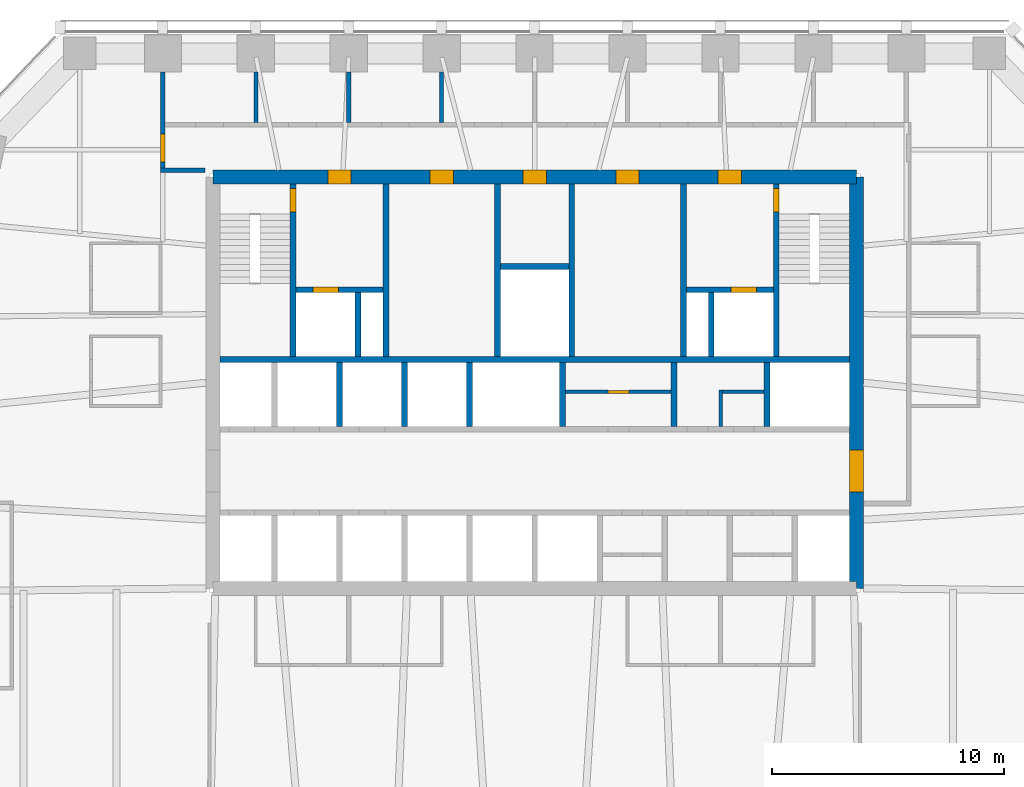
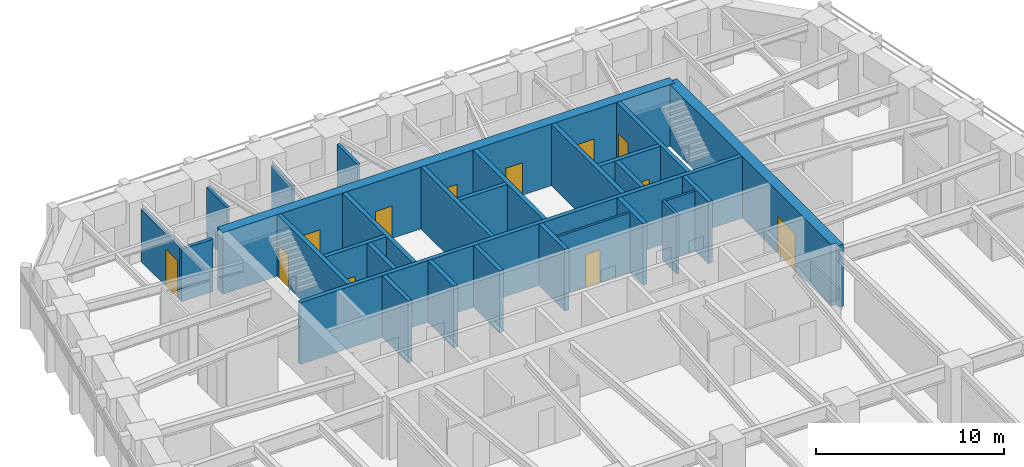
# One storey, part 7 of 10: 28 walls, 12 doors, 12 openings.
"""IFC4 building model written with IfcOpenShell, lengths in metres."""

from ifc_helpers import new_model, si_unit, direction, frame, frame_2d, origin, place, context, subcontext, project, spatial, polyline, rectangle, outline, extrude, material, layer, layer_set, type_object, element, fill, save


model = new_model("IFC4")

# Units and contexts
model_context = context("Model", 3, precision=1e-05, world=origin(), true_north=direction((0.0, 1.0)))
body_context = subcontext(model_context, "Body", "Model", "MODEL_VIEW")
ifc_project = project(units=[si_unit("LENGTHUNIT", "METRE"), si_unit("AREAUNIT", "SQUARE_METRE"), si_unit("VOLUMEUNIT", "CUBIC_METRE"), si_unit("PLANEANGLEUNIT", "RADIAN"), si_unit("MASSUNIT", "GRAM", prefix="KILO")], contexts=[model_context])

# Site, building, storey
site_placement = place(None, origin())
site = spatial("IfcSite", under=ifc_project, at=site_placement, CompositionType="ELEMENT")
building_placement = place(site_placement, origin())
building = spatial("IfcBuilding", under=site, at=building_placement, Name="Isbrekke Arena Tower", CompositionType="ELEMENT")
storey_placement = place(building_placement, frame((0.0, 0.0, 222.0)))
storey = spatial("IfcBuildingStorey", under=building, at=storey_placement, Name="L51", CompositionType="ELEMENT", Elevation=222.0)

# Wall, opening, door
ifc_material_1 = material(Name="Concrete B55 (C55/67)", Category="concrete")
ifc_layer_1 = layer(ifc_material_1, 0.60009765625)
ifc_layer_set_1 = layer_set([ifc_layer_1], Name="CW4 CORE WALL 600")
wall_type_1 = type_object("IfcWallType", Name="CW4 CORE WALL 600", PredefinedType="SHEAR", material=ifc_layer_set_1)
wall_1_placement = place(storey_placement, frame((13.85009765625, 6.14990234375, 0.0), z_axis=(0.0, 0.0, 1.0), x_axis=(0.0, 1.0, 0.0)))
wall_1 = element("IfcWall", 1, at=wall_1_placement, inside=storey, type_object=wall_type_1, Name="Core wall E L51", PredefinedType="SHEAR", context=body_context, shape_type="SweptSolid", body=[
    extrude(outline(polyline([(0.0, -0.300048828125), (17.7001953125, -0.300048828125), (17.7001953125, 0.0), (17.400146484375, 0.0), (17.400146484375, 0.300048828125), (0.300048828125, 0.300048828125), (0.300048828125, 0.0), (0.0, 0.0), (0.0, -0.300048828125)])), origin(), (0.0, 0.0, 1.0), 4.0),
])
opening_1_placement = place(wall_1_placement, frame((4.14990234375, 0.0, 0.0)))
opening_1 = element("IfcOpeningElement", 2, at=opening_1_placement, cuts=wall_1, Name="Opening D1", PredefinedType="OPENING", context=body_context, shape_type="SweptSolid", body=[
    extrude(rectangle(XDim=1.800048828125, YDim=2.39990234375, at=frame_2d((0.89990234375, 1.199951171875))), frame((0.0, 0.31494140625, 0.0), z_axis=(0.0, -1.0, 0.0), x_axis=(1.0, 0.0, 0.0)), (0.0, 0.0, 1.0), 0.6298828125),
])
ifc_material_2 = material(Name="Steel-framed glazed fire door", Category="steel")
door_type_1 = type_object("IfcDoorType", Name="D1 CORE LOBBY DOOR 1800 x 2400", OperationType="DOUBLE_DOOR_SINGLE_SWING", PredefinedType="DOOR", material=ifc_material_2)
door_1_placement = place(opening_1_placement, origin())
door_1 = element("IfcDoor", 3, at=door_1_placement, inside=storey, type_object=door_type_1, Name="D1 lift lobby door east L51", OperationType="DOUBLE_DOOR_SINGLE_SWING", OverallHeight=2.39990234375, OverallWidth=1.800048828125, PredefinedType="DOOR", context=body_context, shape_type="SweptSolid", body=[
    extrude(rectangle(XDim=1.800048828125, YDim=2.39990234375, at=frame_2d((0.89990234375, 1.199951171875))), frame((0.0, 0.2998046875, 0.0), z_axis=(0.0, -1.0, 0.0), x_axis=(1.0, 0.0, 0.0)), (0.0, 0.0, 1.0), 0.599609375),
])
fill(opening_1, door_1)

# Wall, openings, doors
wall_2_placement = place(storey_placement, frame((13.85009765625, 23.85009765625, 0.0), z_axis=(0.0, 0.0, 1.0), x_axis=(-1.0, 0.0, 0.0)))
wall_2 = element("IfcWall", 4, at=wall_2_placement, inside=storey, type_object=wall_type_1, Name="Core wall N L51", PredefinedType="SHEAR", context=body_context, shape_type="SweptSolid", body=[
    extrude(rectangle(XDim=27.7001953125, YDim=0.60009765625, at=frame_2d((13.85009765625, 0.0))), origin(), (0.0, 0.0, 1.0), 4.0),
])
opening_2_placement = place(wall_2_placement, frame((21.75, 0.0, 0.0)))
opening_2 = element("IfcOpeningElement", 5, at=opening_2_placement, cuts=wall_2, Name="Opening D3", PredefinedType="OPENING", context=body_context, shape_type="SweptSolid", body=[
    extrude(rectangle(XDim=1.0, YDim=2.10009765625, at=frame_2d((0.5, 1.050048828125))), frame((0.0, 0.31494140625, 0.0), z_axis=(0.0, -1.0, 0.0), x_axis=(1.0, 0.0, 0.0)), (0.0, 0.0, 1.0), 0.6298828125),
])
opening_3_placement = place(wall_2_placement, frame((4.949951171875, 0.0, 0.0)))
opening_3 = element("IfcOpeningElement", 6, at=opening_3_placement, cuts=wall_2, Name="Opening D3", PredefinedType="OPENING", context=body_context, shape_type="SweptSolid", body=[
    extrude(rectangle(XDim=1.0, YDim=2.10009765625, at=frame_2d((0.5, 1.050048828125))), frame((0.0, 0.31494140625, 0.0), z_axis=(0.0, -1.0, 0.0), x_axis=(1.0, 0.0, 0.0)), (0.0, 0.0, 1.0), 0.6298828125),
])
opening_4_placement = place(wall_2_placement, frame((17.35009765625, 0.0, 0.0)))
opening_4 = element("IfcOpeningElement", 7, at=opening_4_placement, cuts=wall_2, Name="Opening D4", PredefinedType="OPENING", context=body_context, shape_type="SweptSolid", body=[
    extrude(rectangle(XDim=1.0, YDim=2.10009765625, at=frame_2d((0.5, 1.050048828125))), frame((0.0, 0.31494140625, 0.0), z_axis=(0.0, -1.0, 0.0), x_axis=(1.0, 0.0, 0.0)), (0.0, 0.0, 1.0), 0.6298828125),
])
opening_5_placement = place(wall_2_placement, frame((13.35009765625, 0.0, 0.0)))
opening_5 = element("IfcOpeningElement", 8, at=opening_5_placement, cuts=wall_2, Name="Opening D4", PredefinedType="OPENING", context=body_context, shape_type="SweptSolid", body=[
    extrude(rectangle(XDim=1.0, YDim=2.10009765625, at=frame_2d((0.5, 1.050048828125))), frame((0.0, 0.31494140625, 0.0), z_axis=(0.0, -1.0, 0.0), x_axis=(1.0, 0.0, 0.0)), (0.0, 0.0, 1.0), 0.6298828125),
])
opening_6_placement = place(wall_2_placement, frame((9.35009765625, 0.0, 0.0)))
opening_6 = element("IfcOpeningElement", 9, at=opening_6_placement, cuts=wall_2, Name="Opening D4", PredefinedType="OPENING", context=body_context, shape_type="SweptSolid", body=[
    extrude(rectangle(XDim=1.0, YDim=2.10009765625, at=frame_2d((0.5, 1.050048828125))), frame((0.0, 0.31494140625, 0.0), z_axis=(0.0, -1.0, 0.0), x_axis=(1.0, 0.0, 0.0)), (0.0, 0.0, 1.0), 0.6298828125),
])
ifc_material_3 = material(Name="Steel fire door", Category="steel")
door_type_2 = type_object("IfcDoorType", Name="D3 FIRE LOBBY DOOR 1000 x 2100", OperationType="SINGLE_SWING_RIGHT", PredefinedType="DOOR", material=ifc_material_3)
door_2_placement = place(opening_2_placement, origin())
door_2 = element("IfcDoor", 10, at=door_2_placement, inside=storey, type_object=door_type_2, Name="D3 fire-fighting lobby door L51", OperationType="SINGLE_SWING_RIGHT", OverallHeight=2.10009765625, OverallWidth=1.0, PredefinedType="DOOR", context=body_context, shape_type="SweptSolid", body=[
    extrude(rectangle(XDim=1.0, YDim=2.10009765625, at=frame_2d((0.5, 1.050048828125))), frame((0.0, 0.2998046875, 0.0), z_axis=(0.0, -1.0, 0.0), x_axis=(1.0, 0.0, 0.0)), (0.0, 0.0, 1.0), 0.599609375),
])
fill(opening_2, door_2)
door_3_placement = place(opening_3_placement, origin())
door_3 = element("IfcDoor", 11, at=door_3_placement, inside=storey, type_object=door_type_2, Name="D3 fire-fighting lobby door L51", OperationType="SINGLE_SWING_RIGHT", OverallHeight=2.10009765625, OverallWidth=1.0, PredefinedType="DOOR", context=body_context, shape_type="SweptSolid", body=[
    extrude(rectangle(XDim=1.0, YDim=2.10009765625, at=frame_2d((0.5, 1.050048828125))), frame((0.0, 0.2998046875, 0.0), z_axis=(0.0, -1.0, 0.0), x_axis=(1.0, 0.0, 0.0)), (0.0, 0.0, 1.0), 0.599609375),
])
fill(opening_3, door_3)
ifc_material_4 = material(Name="Timber door", Category="wood")
door_type_3 = type_object("IfcDoorType", Name="D4 WC DOOR 1000 x 2100", OperationType="SINGLE_SWING_LEFT", PredefinedType="DOOR", material=ifc_material_4)
door_4_placement = place(opening_4_placement, origin())
door_4 = element("IfcDoor", 12, at=door_4_placement, inside=storey, type_object=door_type_3, Name="D4 wc female door L51", OperationType="SINGLE_SWING_LEFT", OverallHeight=2.10009765625, OverallWidth=1.0, PredefinedType="DOOR", context=body_context, shape_type="SweptSolid", body=[
    extrude(rectangle(XDim=1.0, YDim=2.10009765625, at=frame_2d((0.5, 1.050048828125))), frame((0.0, 0.2998046875, 0.0), z_axis=(0.0, -1.0, 0.0), x_axis=(1.0, 0.0, 0.0)), (0.0, 0.0, 1.0), 0.599609375),
])
fill(opening_4, door_4)
door_5_placement = place(opening_5_placement, origin())
door_5 = element("IfcDoor", 13, at=door_5_placement, inside=storey, type_object=door_type_3, Name="D4 accessible wc door L51", OperationType="SINGLE_SWING_LEFT", OverallHeight=2.10009765625, OverallWidth=1.0, PredefinedType="DOOR", context=body_context, shape_type="SweptSolid", body=[
    extrude(rectangle(XDim=1.0, YDim=2.10009765625, at=frame_2d((0.5, 1.050048828125))), frame((0.0, 0.2998046875, 0.0), z_axis=(0.0, -1.0, 0.0), x_axis=(1.0, 0.0, 0.0)), (0.0, 0.0, 1.0), 0.599609375),
])
fill(opening_5, door_5)
door_6_placement = place(opening_6_placement, origin())
door_6 = element("IfcDoor", 14, at=door_6_placement, inside=storey, type_object=door_type_3, Name="D4 wc male door L51", OperationType="SINGLE_SWING_LEFT", OverallHeight=2.10009765625, OverallWidth=1.0, PredefinedType="DOOR", context=body_context, shape_type="SweptSolid", body=[
    extrude(rectangle(XDim=1.0, YDim=2.10009765625, at=frame_2d((0.5, 1.050048828125))), frame((0.0, 0.2998046875, 0.0), z_axis=(0.0, -1.0, 0.0), x_axis=(1.0, 0.0, 0.0)), (0.0, 0.0, 1.0), 0.599609375),
])
fill(opening_6, door_6)

# Walls
ifc_material_5 = material(Name="Concrete B45 (C45/55)", Category="concrete")
ifc_layer_2 = layer(ifc_material_5, 0.25)
ifc_layer_set_2 = layer_set([ifc_layer_2], Name="CW6 SHAFT WALL 250")
wall_type_2 = type_object("IfcWallType", Name="CW6 SHAFT WALL 250", PredefinedType="SHEAR", material=ifc_layer_set_2)
wall_3_placement = place(storey_placement, frame((-13.550048828125, 16.0, 0.0), z_axis=(0.0, 0.0, 1.0), x_axis=(1.0, 0.0, 0.0)))
element("IfcWall", 15, at=wall_3_placement, inside=storey, type_object=wall_type_2, Name="Core wall NB L51", PredefinedType="SHEAR", context=body_context, shape_type="SweptSolid", body=[
    extrude(rectangle(XDim=27.10009765625, YDim=0.25, at=frame_2d((13.550048828125, 0.0))), origin(), (0.0, 0.0, 1.0), 4.0),
])
for number, where, z_axis, x_axis, name in (
    (16, (-8.39990234375, 13.125, 0.0), (0.0, 0.0, 1.0), (0.0, 1.0, 0.0), "Core wall SN02 L51"),
    (17, (-5.60009765625, 13.125, 0.0), (0.0, 0.0, 1.0), (0.0, 1.0, 0.0), "Core wall SN03 L51"),
    (18, (-2.800048828125, 13.125, 0.0), (0.0, 0.0, 1.0), (0.0, 1.0, 0.0), "Core wall SN04 L51"),
    (19, (1.199951171875, 13.125, 0.0), (0.0, 0.0, 1.0), (0.0, 1.0, 0.0), "Core wall SN05 L51"),
    (20, (6.0, 13.125, 0.0), (0.0, 0.0, 1.0), (0.0, 1.0, 0.0), "Core wall SN06 L51"),
    (21, (10.0, 13.125, 0.0), (0.0, 0.0, 1.0), (0.0, 1.0, 0.0), "Core wall SN07 L51"),
):
    element("IfcWall", number, at=place(storey_placement, frame(where, z_axis=z_axis, x_axis=x_axis)), inside=storey, type_object=wall_type_2, Name=name, PredefinedType="SHEAR", context=body_context, shape_type="SweptSolid", body=[
        extrude(rectangle(XDim=2.75, YDim=0.25, at=frame_2d((1.375, 0.0))), origin(), (0.0, 0.0, 1.0), 4.0),
    ])

# Wall, opening, door
wall_4_placement = place(storey_placement, frame((-10.39990234375, 16.125, 0.0), z_axis=(0.0, 0.0, 1.0), x_axis=(0.0, 1.0, 0.0)))
wall_4 = element("IfcWall", 22, at=wall_4_placement, inside=storey, type_object=wall_type_2, Name="Core wall NV01 L51", PredefinedType="SHEAR", context=body_context, shape_type="SweptSolid", body=[
    extrude(rectangle(XDim=7.425048828125, YDim=0.25, at=frame_2d((3.71240234375, 0.0))), origin(), (0.0, 0.0, 1.0), 4.0),
])
opening_7_placement = place(wall_4_placement, frame((6.22509765625, 0.0, 0.0)))
opening_7 = element("IfcOpeningElement", 23, at=opening_7_placement, cuts=wall_4, Name="Opening D2", PredefinedType="OPENING", context=body_context, shape_type="SweptSolid", body=[
    extrude(rectangle(XDim=1.0, YDim=2.10009765625, at=frame_2d((0.5, 1.050048828125))), frame((0.0, 0.139892578125, 0.0), z_axis=(0.0, -1.0, 0.0), x_axis=(1.0, 0.0, 0.0)), (0.0, 0.0, 1.0), 0.27978515625),
])
ifc_material_6 = material(Name="Steel fire door", Category="steel")
door_type_4 = type_object("IfcDoorType", Name="D2 STAIR DOOR 1000 x 2100", OperationType="SINGLE_SWING_LEFT", PredefinedType="DOOR", material=ifc_material_6)
door_7_placement = place(opening_7_placement, origin())
door_7 = element("IfcDoor", 24, at=door_7_placement, inside=storey, type_object=door_type_4, Name="D2 stair door ST1 L51", OperationType="SINGLE_SWING_LEFT", OverallHeight=2.10009765625, OverallWidth=1.0, PredefinedType="DOOR", context=body_context, shape_type="SweptSolid", body=[
    extrude(rectangle(XDim=1.0, YDim=2.10009765625, at=frame_2d((0.5, 1.050048828125))), frame((0.0, 0.124755859375, 0.0), z_axis=(0.0, -1.0, 0.0), x_axis=(1.0, 0.0, 0.0)), (0.0, 0.0, 1.0), 0.24951171875),
])
fill(opening_7, door_7)

# Walls
for number, where, z_axis, x_axis, name in (
    (25, (-6.39990234375, 16.125, 0.0), (0.0, 0.0, 1.0), (0.0, 1.0, 0.0), "Core wall NV02 L51"),
    (26, (-1.60009765625, 16.125, 0.0), (0.0, 0.0, 1.0), (0.0, 1.0, 0.0), "Core wall NV03 L51"),
    (27, (1.60009765625, 16.125, 0.0), (0.0, 0.0, 1.0), (0.0, 1.0, 0.0), "Core wall NV04 L51"),
    (28, (6.39990234375, 16.125, 0.0), (0.0, 0.0, 1.0), (0.0, 1.0, 0.0), "Core wall NV05 L51"),
):
    element("IfcWall", number, at=place(storey_placement, frame(where, z_axis=z_axis, x_axis=x_axis)), inside=storey, type_object=wall_type_2, Name=name, PredefinedType="SHEAR", context=body_context, shape_type="SweptSolid", body=[
        extrude(rectangle(XDim=7.425048828125, YDim=0.25, at=frame_2d((3.71240234375, 0.0))), origin(), (0.0, 0.0, 1.0), 4.0),
    ])

# Wall, opening, door
wall_5_placement = place(storey_placement, frame((10.39990234375, 16.125, 0.0), z_axis=(0.0, 0.0, 1.0), x_axis=(0.0, 1.0, 0.0)))
wall_5 = element("IfcWall", 29, at=wall_5_placement, inside=storey, type_object=wall_type_2, Name="Core wall NV06 L51", PredefinedType="SHEAR", context=body_context, shape_type="SweptSolid", body=[
    extrude(rectangle(XDim=7.425048828125, YDim=0.25, at=frame_2d((3.71240234375, 0.0))), origin(), (0.0, 0.0, 1.0), 4.0),
])
opening_8_placement = place(wall_5_placement, frame((6.22509765625, 0.0, 0.0)))
opening_8 = element("IfcOpeningElement", 30, at=opening_8_placement, cuts=wall_5, Name="Opening D2", PredefinedType="OPENING", context=body_context, shape_type="SweptSolid", body=[
    extrude(rectangle(XDim=1.0, YDim=2.10009765625, at=frame_2d((0.5, 1.050048828125))), frame((0.0, 0.139892578125, 0.0), z_axis=(0.0, -1.0, 0.0), x_axis=(1.0, 0.0, 0.0)), (0.0, 0.0, 1.0), 0.27978515625),
])
door_8_placement = place(opening_8_placement, origin())
door_8 = element("IfcDoor", 31, at=door_8_placement, inside=storey, type_object=door_type_4, Name="D2 stair door ST2 L51", OperationType="SINGLE_SWING_LEFT", OverallHeight=2.10009765625, OverallWidth=1.0, PredefinedType="DOOR", context=body_context, shape_type="SweptSolid", body=[
    extrude(rectangle(XDim=1.0, YDim=2.10009765625, at=frame_2d((0.5, 1.050048828125))), frame((0.0, 0.124755859375, 0.0), z_axis=(0.0, -1.0, 0.0), x_axis=(1.0, 0.0, 0.0)), (0.0, 0.0, 1.0), 0.24951171875),
])
fill(opening_8, door_8)

wall_6_placement = place(storey_placement, frame((-10.27490234375, 19.0, 0.0), z_axis=(0.0, 0.0, 1.0), x_axis=(1.0, 0.0, 0.0)))
wall_6 = element("IfcWall", 32, at=wall_6_placement, inside=storey, type_object=wall_type_2, Name="Core wall NFW L51", PredefinedType="SHEAR", context=body_context, shape_type="SweptSolid", body=[
    extrude(rectangle(XDim=3.75, YDim=0.25, at=frame_2d((1.875, 0.0))), origin(), (0.0, 0.0, 1.0), 4.0),
])
opening_9_placement = place(wall_6_placement, frame((0.72509765625, 0.0, 0.0)))
opening_9 = element("IfcOpeningElement", 33, at=opening_9_placement, cuts=wall_6, Name="Opening LD2", PredefinedType="OPENING", context=body_context, shape_type="SweptSolid", body=[
    extrude(rectangle(XDim=1.10009765625, YDim=2.10009765625, at=frame_2d((0.550048828125, 1.050048828125))), frame((0.0, 0.139892578125, 0.0), z_axis=(0.0, -1.0, 0.0), x_axis=(1.0, 0.0, 0.0)), (0.0, 0.0, 1.0), 0.27978515625),
])
ifc_material_7 = material(Name="Stainless steel lift landing door", Category="steel")
door_type_5 = type_object("IfcDoorType", Name="LD2 FIRE-FIGHTING LIFT LANDING DOOR 1100 x 2100", OperationType="SLIDING_TO_RIGHT", PredefinedType="DOOR", material=ifc_material_7)
door_9_placement = place(opening_9_placement, origin())
door_9 = element("IfcDoor", 34, at=door_9_placement, inside=storey, type_object=door_type_5, Name="LD2 lift landing door LF L51", OperationType="SLIDING_TO_RIGHT", OverallHeight=2.10009765625, OverallWidth=1.10009765625, PredefinedType="DOOR", context=body_context, shape_type="SweptSolid", body=[
    extrude(rectangle(XDim=1.10009765625, YDim=2.10009765625, at=frame_2d((0.550048828125, 1.050048828125))), frame((0.0, 0.124755859375, 0.0), z_axis=(0.0, -1.0, 0.0), x_axis=(1.0, 0.0, 0.0)), (0.0, 0.0, 1.0), 0.24951171875),
])
fill(opening_9, door_9)

wall_7_placement = place(storey_placement, frame((6.52490234375, 19.0, 0.0), z_axis=(0.0, 0.0, 1.0), x_axis=(1.0, 0.0, 0.0)))
wall_7 = element("IfcWall", 35, at=wall_7_placement, inside=storey, type_object=wall_type_2, Name="Core wall NFE L51", PredefinedType="SHEAR", context=body_context, shape_type="SweptSolid", body=[
    extrude(rectangle(XDim=3.75, YDim=0.25, at=frame_2d((1.875, 0.0))), origin(), (0.0, 0.0, 1.0), 4.0),
])
opening_10_placement = place(wall_7_placement, frame((1.925048828125, 0.0, 0.0)))
opening_10 = element("IfcOpeningElement", 36, at=opening_10_placement, cuts=wall_7, Name="Opening LD2", PredefinedType="OPENING", context=body_context, shape_type="SweptSolid", body=[
    extrude(rectangle(XDim=1.10009765625, YDim=2.10009765625, at=frame_2d((0.550048828125, 1.050048828125))), frame((0.0, 0.139892578125, 0.0), z_axis=(0.0, -1.0, 0.0), x_axis=(1.0, 0.0, 0.0)), (0.0, 0.0, 1.0), 0.27978515625),
])
door_10_placement = place(opening_10_placement, origin())
door_10 = element("IfcDoor", 37, at=door_10_placement, inside=storey, type_object=door_type_5, Name="LD2 lift landing door LF L51", OperationType="SLIDING_TO_RIGHT", OverallHeight=2.10009765625, OverallWidth=1.10009765625, PredefinedType="DOOR", context=body_context, shape_type="SweptSolid", body=[
    extrude(rectangle(XDim=1.10009765625, YDim=2.10009765625, at=frame_2d((0.550048828125, 1.050048828125))), frame((0.0, 0.124755859375, 0.0), z_axis=(0.0, -1.0, 0.0), x_axis=(1.0, 0.0, 0.0)), (0.0, 0.0, 1.0), 0.24951171875),
])
fill(opening_10, door_10)

# Walls
for number, where, z_axis, x_axis, name in (
    (38, (-7.60009765625, 16.125, 0.0), (0.0, 0.0, 1.0), (0.0, 1.0, 0.0), "Core wall NFS1 L51"),
    (39, (7.60009765625, 16.125, 0.0), (0.0, 0.0, 1.0), (0.0, 1.0, 0.0), "Core wall NFS2 L51"),
):
    element("IfcWall", number, at=place(storey_placement, frame(where, z_axis=z_axis, x_axis=x_axis)), inside=storey, type_object=wall_type_2, Name=name, PredefinedType="SHEAR", context=body_context, shape_type="SweptSolid", body=[
        extrude(rectangle(XDim=2.75, YDim=0.25, at=frame_2d((1.375, 0.0))), origin(), (0.0, 0.0, 1.0), 4.0),
    ])
wall_8_placement = place(storey_placement, frame((-1.47509765625, 20.0, 0.0), z_axis=(0.0, 0.0, 1.0), x_axis=(1.0, 0.0, 0.0)))
element("IfcWall", 40, at=wall_8_placement, inside=storey, type_object=wall_type_2, Name="Core wall NWC L51", PredefinedType="SHEAR", context=body_context, shape_type="SweptSolid", body=[
    extrude(rectangle(XDim=2.9501953125, YDim=0.25, at=frame_2d((1.47509765625, 0.0))), origin(), (0.0, 0.0, 1.0), 4.0),
])
ifc_material_8 = material(Name="Gypsum board fire-cell wall on steel studs, two layers each side", Category="steel")
ifc_layer_3 = layer(ifc_material_8, 0.199951171875)
ifc_layer_set_3 = layer_set([ifc_layer_3], Name="IW3 FIRE-CELL WALL 200")
wall_type_3 = type_object("IfcWallType", Name="IW3 FIRE-CELL WALL 200", PredefinedType="PARTITIONING", material=ifc_layer_set_3)
wall_9_placement = place(storey_placement, frame((-16.10009765625, 24.14990234375, 0.0), z_axis=(0.0, 0.0, 1.0), x_axis=(1.0, 0.0, 0.0)))
element("IfcWall", 41, at=wall_9_placement, inside=storey, type_object=wall_type_3, Name="IW3 fire-cell wall 200 L51", PredefinedType="PARTITIONING", context=body_context, shape_type="SweptSolid", body=[
    extrude(rectangle(XDim=1.920166015625, YDim=0.199951171875, at=frame_2d((0.9599609375, 0.0))), origin(), (0.0, 0.0, 1.0), 3.39990234375),
])

# Wall, opening, door
wall_10_placement = place(storey_placement, frame((-16.0, 24.25, 0.0), z_axis=(0.0, 0.0, 1.0), x_axis=(0.0, 1.0, 0.0)))
wall_10 = element("IfcWall", 42, at=wall_10_placement, inside=storey, type_object=wall_type_3, Name="IW3 fire-cell wall 200 L51", PredefinedType="PARTITIONING", context=body_context, shape_type="SweptSolid", body=[
    extrude(rectangle(XDim=4.125, YDim=0.199951171875, at=frame_2d((2.0625, 0.0))), origin(), (0.0, 0.0, 1.0), 3.39990234375),
])
opening_11_placement = place(wall_10_placement, frame((0.25, 0.0, 0.0)))
opening_11 = element("IfcOpeningElement", 43, at=opening_11_placement, cuts=wall_10, Name="Opening D12", PredefinedType="OPENING", context=body_context, shape_type="SweptSolid", body=[
    extrude(rectangle(XDim=1.199951171875, YDim=2.39990234375, at=frame_2d((0.60009765625, 1.199951171875))), frame((0.0, 0.11474609375, 0.0), z_axis=(0.0, -1.0, 0.0), x_axis=(1.0, 0.0, 0.0)), (0.0, 0.0, 1.0), 0.229736328125),
])
ifc_material_9 = material(Name="Timber fire door with vision panel", Category="wood")
door_type_6 = type_object("IfcDoorType", Name="D12 SUITE ENTRANCE DOOR 1200 x 2400", OperationType="SINGLE_SWING_LEFT", PredefinedType="DOOR", material=ifc_material_9)
door_11_placement = place(opening_11_placement, origin())
door_11 = element("IfcDoor", 44, at=door_11_placement, inside=storey, type_object=door_type_6, Name="D12 suite entrance A door L51", OperationType="SINGLE_SWING_LEFT", OverallHeight=2.39990234375, OverallWidth=1.199951171875, PredefinedType="DOOR", context=body_context, shape_type="SweptSolid", body=[
    extrude(rectangle(XDim=1.199951171875, YDim=2.39990234375, at=frame_2d((0.60009765625, 1.199951171875))), frame((0.0, 0.099609375, 0.0), z_axis=(0.0, -1.0, 0.0), x_axis=(1.0, 0.0, 0.0)), (0.0, 0.0, 1.0), 0.199462890625),
])
fill(opening_11, door_11)

# Walls
ifc_material_10 = material(Name="Gypsum board acoustic partition on twin steel studs", Category="steel")
ifc_layer_4 = layer(ifc_material_10, 0.175048828125)
ifc_layer_set_4 = layer_set([ifc_layer_4], Name="IW4 ACOUSTIC PARTITION 175")
wall_type_4 = type_object("IfcWallType", Name="IW4 ACOUSTIC PARTITION 175", PredefinedType="PARTITIONING", material=ifc_layer_set_4)
for number, where, z_axis, x_axis, name in (
    (45, (-12.0, 26.199951171875, 0.0), (0.0, 0.0, 1.0), (0.0, 1.0, 0.0), "IW4 acoustic partition 175 L51"),
    (46, (-8.0, 26.199951171875, 0.0), (0.0, 0.0, 1.0), (0.0, 1.0, 0.0), "IW4 acoustic partition 175 L51"),
    (47, (-4.0, 26.199951171875, 0.0), (0.0, 0.0, 1.0), (0.0, 1.0, 0.0), "IW4 acoustic partition 175 L51"),
):
    element("IfcWall", number, at=place(storey_placement, frame(where, z_axis=z_axis, x_axis=x_axis)), inside=storey, type_object=wall_type_4, Name=name, PredefinedType="PARTITIONING", context=body_context, shape_type="SweptSolid", body=[
        extrude(rectangle(XDim=2.175048828125, YDim=0.175048828125, at=frame_2d((1.08740234375, 0.0))), origin(), (0.0, 0.0, 1.0), 3.39990234375),
    ])

# Wall, opening, door
ifc_material_11 = material(Name="Gypsum board fire-rated partition on steel studs, two layers each side", Category="steel")
ifc_layer_5 = layer(ifc_material_11, 0.14990234375)
ifc_layer_set_5 = layer_set([ifc_layer_5], Name="IW5 FIRE-RATED PARTITION 150")
wall_type_5 = type_object("IfcWallType", Name="IW5 FIRE-RATED PARTITION 150", PredefinedType="PARTITIONING", material=ifc_layer_set_5)
wall_11_placement = place(storey_placement, frame((1.324951171875, 14.60009765625, 0.0), z_axis=(0.0, 0.0, 1.0), x_axis=(1.0, 0.0, 0.0)))
wall_11 = element("IfcWall", 48, at=wall_11_placement, inside=storey, type_object=wall_type_5, Name="IW5 fire-rated partition L51 core service rooms 1", PredefinedType="PARTITIONING", context=body_context, shape_type="SweptSolid", body=[
    extrude(rectangle(XDim=4.550048828125, YDim=0.14990234375, at=frame_2d((2.27490234375, 0.0))), origin(), (0.0, 0.0, 1.0), 3.85009765625),
])
opening_12_placement = place(wall_11_placement, frame((1.824951171875, 0.0, 0.0)))
opening_12 = element("IfcOpeningElement", 49, at=opening_12_placement, cuts=wall_11, Name="Opening D5", PredefinedType="OPENING", context=body_context, shape_type="SweptSolid", body=[
    extrude(rectangle(XDim=0.89990234375, YDim=2.10009765625, at=frame_2d((0.449951171875, 1.050048828125))), frame((0.0, 0.08984375, 0.0), z_axis=(0.0, -1.0, 0.0), x_axis=(1.0, 0.0, 0.0)), (0.0, 0.0, 1.0), 0.1796875),
])
ifc_material_12 = material(Name="Steel fire door", Category="steel")
door_type_7 = type_object("IfcDoorType", Name="D5 SERVICE DOOR 900 x 2100", OperationType="SINGLE_SWING_LEFT", PredefinedType="DOOR", material=ifc_material_12)
door_12_placement = place(opening_12_placement, origin())
door_12 = element("IfcDoor", 50, at=door_12_placement, inside=storey, type_object=door_type_7, Name="D5 tenant store door L51", OperationType="SINGLE_SWING_LEFT", OverallHeight=2.10009765625, OverallWidth=0.89990234375, PredefinedType="DOOR", context=body_context, shape_type="SweptSolid", body=[
    extrude(rectangle(XDim=0.89990234375, YDim=2.10009765625, at=frame_2d((0.449951171875, 1.050048828125))), frame((0.0, 0.07470703125, 0.0), z_axis=(0.0, -1.0, 0.0), x_axis=(1.0, 0.0, 0.0)), (0.0, 0.0, 1.0), 0.1494140625),
])
fill(opening_12, door_12)

# Walls
wall_12_placement = place(storey_placement, frame((8.0, 13.125, 0.0), z_axis=(0.0, 0.0, 1.0), x_axis=(0.0, 1.0, 0.0)))
element("IfcWall", 51, at=wall_12_placement, inside=storey, type_object=wall_type_5, Name="IW5 fire-rated partition L51 core service rooms 2", PredefinedType="PARTITIONING", context=body_context, shape_type="SweptSolid", body=[
    extrude(rectangle(XDim=1.550048828125, YDim=0.14990234375, at=frame_2d((0.77490234375, 0.0))), origin(), (0.0, 0.0, 1.0), 3.85009765625),
])
wall_13_placement = place(storey_placement, frame((8.074951171875, 14.60009765625, 0.0), z_axis=(0.0, 0.0, 1.0), x_axis=(1.0, 0.0, 0.0)))
element("IfcWall", 52, at=wall_13_placement, inside=storey, type_object=wall_type_5, Name="IW5 fire-rated partition L51 core service rooms 3", PredefinedType="PARTITIONING", context=body_context, shape_type="SweptSolid", body=[
    extrude(rectangle(XDim=1.800048828125, YDim=0.14990234375, at=frame_2d((0.89990234375, 0.0))), origin(), (0.0, 0.0, 1.0), 3.85009765625),
])

save(model, "model.ifc")
